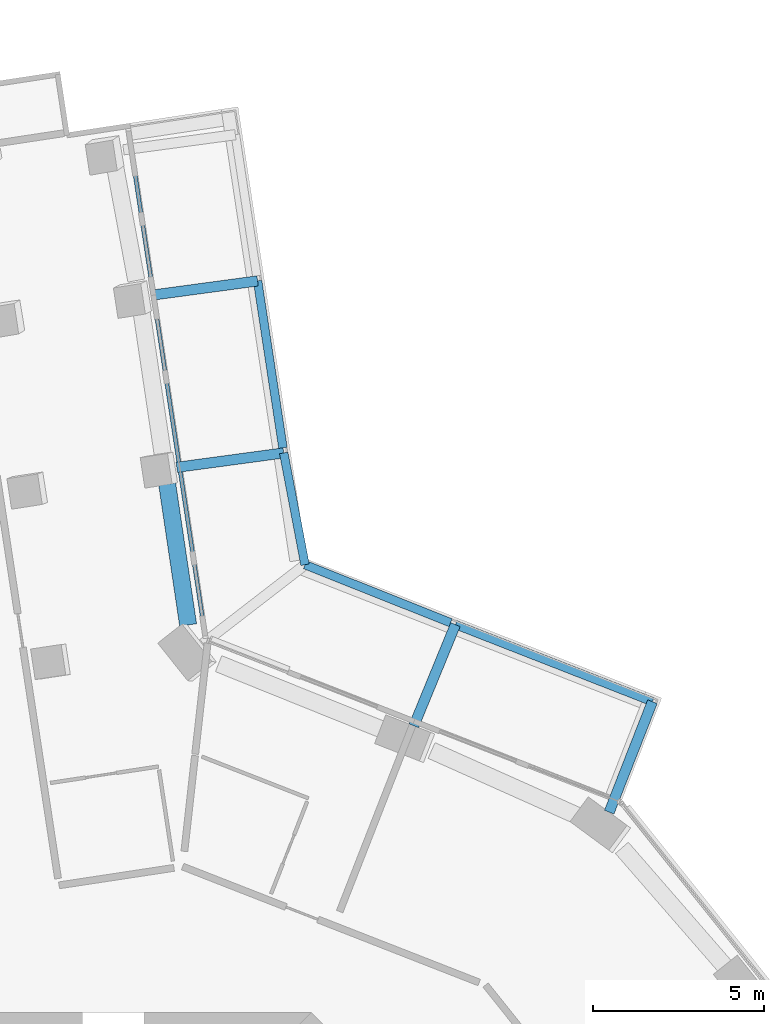
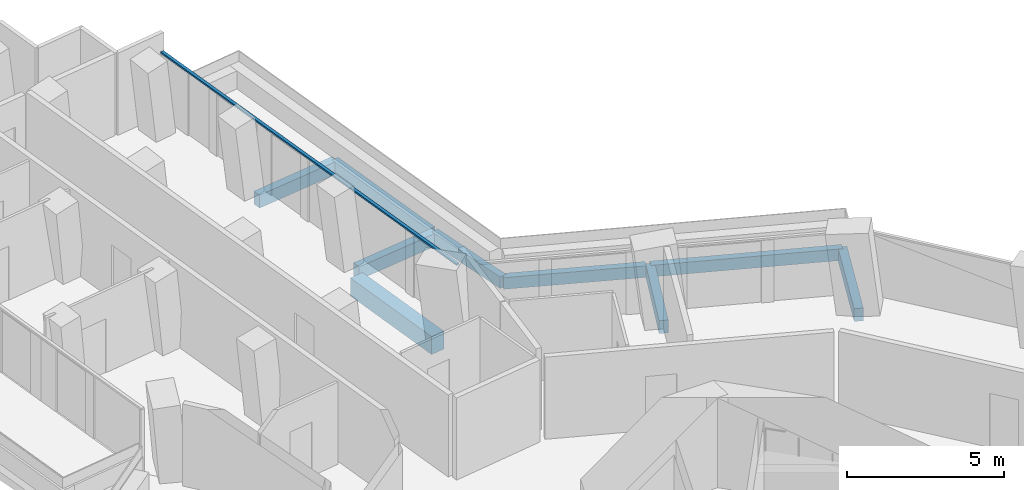
# One storey, part 10 of 28: 9 beams, 1 member, 1 element without a shape of its own.
"""IFC4 building model written with IfcOpenShell, lengths in metres."""

from ifc_helpers import new_model, si_unit, direction, frame, origin, origin_2d, place, context, subcontext, project, spatial, rectangle, extrude, material, layer, layer_set, material_profile, profile_set, type_object, element, aggregate, save


model = new_model("IFC4")

# Units and contexts
model_context = context("Model", 3, precision=1e-05, world=origin(), true_north=direction((0.0, 1.0)))
body_context = subcontext(model_context, "Body", "Model", "MODEL_VIEW")
ifc_project = project(units=[si_unit("LENGTHUNIT", "METRE"), si_unit("AREAUNIT", "SQUARE_METRE"), si_unit("VOLUMEUNIT", "CUBIC_METRE"), si_unit("PLANEANGLEUNIT", "RADIAN"), si_unit("MASSUNIT", "GRAM", prefix="KILO")], contexts=[model_context])

# Site, building, storey
site_placement = place(None, origin())
site = spatial("IfcSite", under=ifc_project, at=site_placement, CompositionType="ELEMENT")
building_placement = place(site_placement, origin())
building = spatial("IfcBuilding", under=site, at=building_placement, Name="Verdalira Terraces Hotel", CompositionType="ELEMENT")
storey_placement = place(building_placement, frame((0.0, 0.0, 68.0)))
storey = spatial("IfcBuildingStorey", under=building, at=storey_placement, Name="L15", CompositionType="ELEMENT", Elevation=68.0)

# Beams
ifc_material_1 = material(Name="Concrete C40", Category="concrete")
ifc_material_profile_1 = material_profile(ifc_material_1, rectangle(XDim=0.300049, YDim=0.5, at=origin_2d()), Name="RC 300X500")
ifc_profile_set_1 = profile_set([ifc_material_profile_1], Name="Concrete C40")
beam_type_1 = type_object("IfcBeamType", Name="Balcony cantilever beam RC 300X500 C40", PredefinedType="BEAM", material=ifc_profile_set_1)
beam_1_placement = place(storey_placement, frame((14.517334, 19.863525, -0.560059), z_axis=(0.364213729, 0.931315392, 0.0), x_axis=(-0.931315392, 0.364213729, 0.0)))
element("IfcBeam", 1, at=beam_1_placement, inside=storey, type_object=beam_type_1, Name="Balcony cantilever beam R41-1", PredefinedType="BEAM", context=body_context, shape_type="SweptSolid", body=[
    extrude(rectangle(XDim=0.300049, YDim=0.5, at=origin_2d()), origin(), (0.0, 0.0, 1.0), 3.47168),
])
beam_2_placement = place(storey_placement, frame((8.802246, 22.389893, -0.560059), z_axis=(0.379752197, 0.925088249, 0.0), x_axis=(-0.925088249, 0.379752197, 0.0)))
element("IfcBeam", 2, at=beam_2_placement, inside=storey, type_object=beam_type_1, Name="Balcony cantilever beam R41-2", PredefinedType="BEAM", context=body_context, shape_type="SweptSolid", body=[
    extrude(rectangle(XDim=0.300049, YDim=0.5, at=origin_2d()), origin(), (0.0, 0.0, 1.0), 3.200928),
])
beam_3_placement = place(storey_placement, frame((1.86499, 29.953125, -0.560059), z_axis=(0.991030945, 0.133632577, 0.0), x_axis=(-0.133632577, 0.991030945, 0.0)))
element("IfcBeam", 3, at=beam_3_placement, inside=storey, type_object=beam_type_1, Name="Balcony cantilever beam R41-4", PredefinedType="BEAM", context=body_context, shape_type="SweptSolid", body=[
    extrude(rectangle(XDim=0.300049, YDim=0.5, at=origin_2d()), origin(), (0.0, 0.0, 1.0), 3.156982),
])
beam_4_placement = place(storey_placement, frame((1.10791, 34.987061, -0.560059), z_axis=(0.991027711, 0.133656557, 0.0), x_axis=(-0.133656557, 0.991027711, 0.0)))
element("IfcBeam", 4, at=beam_4_placement, inside=storey, type_object=beam_type_1, Name="Balcony cantilever beam R41-5", PredefinedType="BEAM", context=body_context, shape_type="SweptSolid", body=[
    extrude(rectangle(XDim=0.300049, YDim=0.5, at=origin_2d()), origin(), (0.0, 0.0, 1.0), 3.14917),
])
ifc_material_2 = material(Name="Concrete C40", Category="concrete")
ifc_material_profile_2 = material_profile(ifc_material_2, rectangle(XDim=0.25, YDim=0.449951, at=origin_2d()), Name="RC 250X450")
ifc_profile_set_2 = profile_set([ifc_material_profile_2], Name="Concrete C40")
beam_type_2 = type_object("IfcBeamType", Name="Balcony edge beam RC 250X450 C40", PredefinedType="BEAM", material=ifc_profile_set_2)
beam_5_placement = place(storey_placement, frame((15.781738, 23.09668, -0.534912), z_axis=(-0.931300386, 0.364252097, 0.0), x_axis=(-0.364252097, -0.931300386, 0.0)))
element("IfcBeam", 5, at=beam_5_placement, inside=storey, type_object=beam_type_2, Name="Balcony edge beam R41-1", PredefinedType="BEAM", context=body_context, shape_type="SweptSolid", body=[
    extrude(rectangle(XDim=0.25, YDim=0.449951, at=origin_2d()), origin(), (0.0, 0.0, 1.0), 6.189209),
])
beam_6_placement = place(storey_placement, frame((9.878418, 25.406494, -0.534912), z_axis=(-0.929117725, 0.369784064, 0.0), x_axis=(-0.369784064, -0.929117725, 0.0)))
element("IfcBeam", 6, at=beam_6_placement, inside=storey, type_object=beam_type_2, Name="Balcony edge beam R41-2", PredefinedType="BEAM", context=body_context, shape_type="SweptSolid", body=[
    extrude(rectangle(XDim=0.25, YDim=0.449951, at=origin_2d()), origin(), (0.0, 0.0, 1.0), 4.58667),
])
beam_7_placement = place(storey_placement, frame((5.616943, 27.102539, -0.534912), z_axis=(-0.187102005, 0.982340491, 0.0), x_axis=(-0.982340491, -0.187102005, 0.0)))
element("IfcBeam", 7, at=beam_7_placement, inside=storey, type_object=beam_type_2, Name="Balcony edge beam R41-3", PredefinedType="BEAM", context=body_context, shape_type="SweptSolid", body=[
    extrude(rectangle(XDim=0.25, YDim=0.449951, at=origin_2d()), origin(), (0.0, 0.0, 1.0), 3.331299),
])
beam_8_placement = place(storey_placement, frame((4.970947, 30.523438, -0.534912), z_axis=(-0.150222557, 0.988652205, 0.0), x_axis=(-0.988652205, -0.150222557, 0.0)))
element("IfcBeam", 8, at=beam_8_placement, inside=storey, type_object=beam_type_2, Name="Balcony edge beam R41-4", PredefinedType="BEAM", context=body_context, shape_type="SweptSolid", body=[
    extrude(rectangle(XDim=0.25, YDim=0.449951, at=origin_2d()), origin(), (0.0, 0.0, 1.0), 4.940674),
])

# Curtain wall, member
ifc_material_3 = material(Name="Clear glass", Category="glass")
ifc_layer = layer(ifc_material_3, 0.14990234375)
ifc_layer_set = layer_set([ifc_layer], Name="CW2 curtain wall")
curtain_wall_type = type_object("IfcCurtainWallType", Name="CW2 curtain wall", PredefinedType="NOTDEFINED", material=ifc_layer_set)
curtain_wall_placement = place(storey_placement, origin())
curtain_wall = element("IfcCurtainWall", 9, at=curtain_wall_placement, inside=storey, type_object=curtain_wall_type, Name="CW2 curtain wall L15 edge 0", PredefinedType="NOTDEFINED")
ifc_material_4 = material(Name="Terracotta frame", Category="masonry")
ifc_material_profile_3 = material_profile(ifc_material_4, rectangle(XDim=0.11499, YDim=0.064941, at=origin_2d()), Name="TR 65x115")
ifc_profile_set_3 = profile_set([ifc_material_profile_3], Name="Terracotta frame")
member_type = type_object("IfcMemberType", Name="CW2 transom 65x115", PredefinedType="USERDEFINED", material=ifc_profile_set_3)
member_placement = place(storey_placement, frame((2.707764, 24.948242, 2.45752), z_axis=(-0.150225742, 0.988651722, 0.0), x_axis=(-0.988651722, -0.150225742, 0.0)))
member = element("IfcMember", 10, at=member_placement, type_object=member_type, Name="CW2 transom", ObjectType="TRANSOM", PredefinedType="USERDEFINED", context=body_context, shape_type="SweptSolid", body=[
    extrude(rectangle(XDim=0.11499, YDim=0.064941, at=origin_2d()), origin(), (0.0, 0.0, 1.0), 15.087891),
])
aggregate(curtain_wall, [member])

# Beam
ifc_material_5 = material(Name="Concrete C70", Category="concrete")
ifc_material_profile_4 = material_profile(ifc_material_5, rectangle(XDim=0.5, YDim=0.699951, at=origin_2d()), Name="RC 500X700")
ifc_profile_set_4 = profile_set([ifc_material_profile_4], Name="Concrete C70")
beam_type_3 = type_object("IfcBeamType", Name="Spandrel beam RC 500X700 C70", PredefinedType="SPANDREL", material=ifc_profile_set_4)
beam_9_placement = place(storey_placement, frame((2.196289, 25.34082, -0.659912), z_axis=(-0.147058655, 0.989127773, 0.0), x_axis=(-0.989127773, -0.147058655, 0.0)))
element("IfcBeam", 11, at=beam_9_placement, inside=storey, type_object=beam_type_3, Name="Spandrel beam B01", PredefinedType="SPANDREL", context=body_context, shape_type="SweptSolid", body=[
    extrude(rectangle(XDim=0.5, YDim=0.699951, at=origin_2d()), origin(), (0.0, 0.0, 1.0), 4.163574),
])

save(model, "model.ifc")
